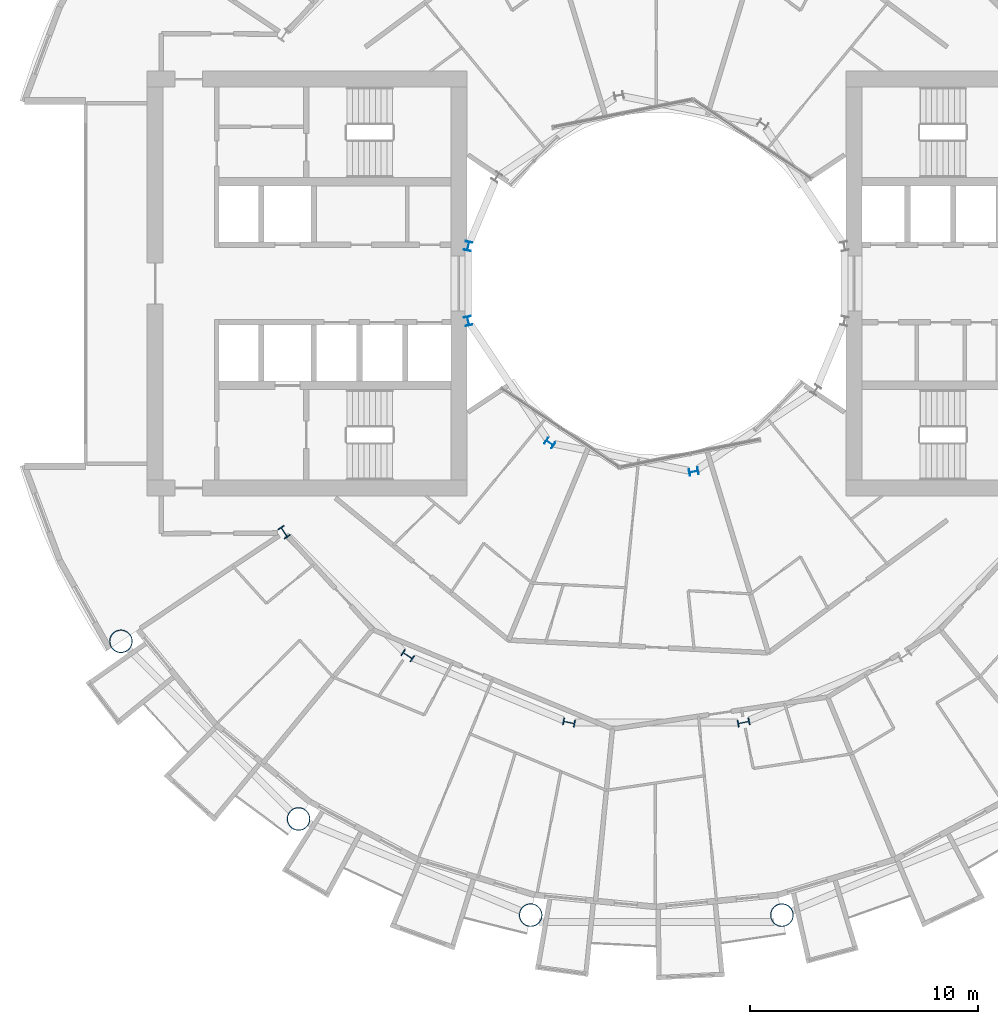
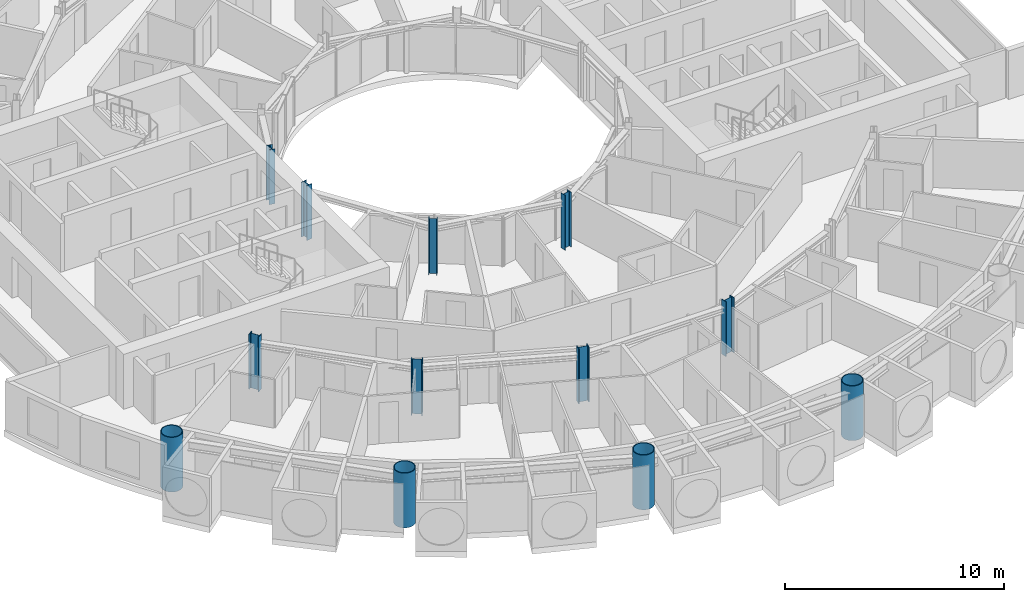
# One storey, part 1 of 26: 12 columns.
"""IFC4 building model written with IfcOpenShell, lengths in metres."""

from ifc_helpers import new_model, si_unit, direction, frame, origin, origin_2d, place, context, subcontext, project, spatial, hollow_circle, i_section, extrude, material, material_profile, profile_set, type_object, element, save


model = new_model("IFC4")

# Units and contexts
model_context = context("Model", 3, precision=1e-05, world=origin(), true_north=direction((0.0, 1.0)))
body_context = subcontext(model_context, "Body", "Model", "MODEL_VIEW")
ifc_project = project(units=[si_unit("LENGTHUNIT", "METRE"), si_unit("AREAUNIT", "SQUARE_METRE"), si_unit("VOLUMEUNIT", "CUBIC_METRE"), si_unit("PLANEANGLEUNIT", "RADIAN"), si_unit("MASSUNIT", "GRAM", prefix="KILO")], contexts=[model_context])

# Site, building, storey
site_placement = place(None, origin())
site = spatial("IfcSite", under=ifc_project, at=site_placement, CompositionType="ELEMENT")
building_placement = place(site_placement, origin())
building = spatial("IfcBuilding", under=site, at=building_placement, Name="Maasbend Ring Residences", CompositionType="ELEMENT")
storey_placement = place(building_placement, frame((0.0, 0.0, 75.800048828125)))
storey = spatial("IfcBuildingStorey", under=building, at=storey_placement, Name="L21", CompositionType="ELEMENT", Elevation=75.800048828125)

# Columns
ifc_material_1 = material(Name="Composite concrete-filled steel tube S460NH / C80/95", Category="concrete")
ifc_material_profile_1 = material_profile(ifc_material_1, hollow_circle(Radius=0.508056640625, WallThickness=0.0400390625, at=origin_2d()), Name="Composite tube column CHS 1016x40")
ifc_profile_set_1 = profile_set([ifc_material_profile_1], Name="Composite concrete-filled steel tube S460NH / C80/95")
column_type_1 = type_object("IfcColumnType", Name="Composite tube column CHS 1016x40", PredefinedType="COLUMN", material=ifc_profile_set_1)
for number, where, z_axis, x_axis, name in (
    (1, (-23.447509765625, -15.6669921875, 0.0), (0.0, 0.0, 1.0), (1.0, 0.0, 0.0), "Outer column R10"),
    (2, (-15.6669921875, -23.447509765625, 0.0), (0.0, 0.0, 1.0), (1.0, 0.0, 0.0), "Outer column R11"),
    (3, (-5.50146484375, -27.658203125, 0.0), (0.0, 0.0, 1.0), (1.0, 0.0, 0.0), "Outer column R12"),
    (4, (5.50146484375, -27.658203125, 0.0), (0.0, 0.0, 1.0), (1.0, 0.0, 0.0), "Outer column R13"),
):
    element("IfcColumn", number, at=place(storey_placement, frame(where, z_axis=z_axis, x_axis=x_axis)), inside=storey, type_object=column_type_1, Name=name, PredefinedType="COLUMN", context=body_context, shape_type="SweptSolid", body=[
        extrude(hollow_circle(Radius=0.508056640625, WallThickness=0.0400390625, at=origin_2d()), origin(), (0.0, 0.0, 1.0), 3.050048828125),
    ])
ifc_material_2 = material(Name="Steel S355J2", Category="steel")
ifc_material_profile_2 = material_profile(ifc_material_2, i_section(OverallWidth=0.300048828125, OverallDepth=0.39990234375, WebThickness=0.013427734375, FlangeThickness=0.02392578125, FilletRadius=0.027099609375, at=origin_2d()), Name="HEB 400")
ifc_profile_set_2 = profile_set([ifc_material_profile_2], Name="Steel S355J2")
column_type_2 = type_object("IfcColumnType", Name="Steel column HEB 400", PredefinedType="COLUMN", material=ifc_profile_set_2)
for number, where, z_axis, x_axis, name in (
    (5, (-8.238525390625, 1.638916015625, 0.0), (0.0, 0.0, 1.0), (-0.980785280403, 0.195090322016, 0.0), "Well ring column R8"),
    (6, (-8.238525390625, -1.638916015625, 0.0), (0.0, 0.0, 1.0), (-0.980785280403, -0.195090322016, 0.0), "Well ring column R9"),
    (7, (-4.666748046875, -6.984375, 0.0), (0.0, 0.0, 1.0), (-0.55557023302, -0.831469612303, 0.0), "Well ring column R11"),
    (8, (1.638916015625, -8.238525390625, 0.0), (0.0, 0.0, 1.0), (0.195090322016, -0.980785280403, 0.0), "Well ring column R13"),
):
    element("IfcColumn", number, at=place(storey_placement, frame(where, z_axis=z_axis, x_axis=x_axis)), inside=storey, type_object=column_type_2, Name=name, PredefinedType="COLUMN", context=body_context, shape_type="SweptSolid", body=[
        extrude(i_section(OverallWidth=0.300048828125, OverallDepth=0.39990234375, WebThickness=0.013427734375, FlangeThickness=0.02392578125, FilletRadius=0.027099609375, at=origin_2d()), origin(), (0.0, 0.0, 1.0), 3.050048828125),
    ])
ifc_material_3 = material(Name="Steel S460M", Category="steel")
ifc_material_profile_3 = material_profile(ifc_material_3, i_section(OverallWidth=0.305908203125, OverallDepth=0.52392578125, WebThickness=0.02099609375, FlangeThickness=0.0400390625, FilletRadius=0.027099609375, at=origin_2d()), Name="HEM 500")
ifc_profile_set_3 = profile_set([ifc_material_profile_3], Name="Steel S460M")
column_type_3 = type_object("IfcColumnType", Name="Steel column HEM 500", PredefinedType="COLUMN", material=ifc_profile_set_3)
for number, where, z_axis, x_axis, name in (
    (9, (-16.296875, -10.88916015625, 0.0), (0.0, 0.0, 1.0), (-0.831469612303, -0.55557023302, 0.0), "Corridor ring column R10"),
    (10, (-10.88916015625, -16.296875, 0.0), (0.0, 0.0, 1.0), (-0.55557023302, -0.831469612303, 0.0), "Corridor ring column R11"),
    (11, (-3.82373046875, -19.223388671875, 0.0), (0.0, 0.0, 1.0), (-0.195090322016, -0.980785280403, 0.0), "Corridor ring column R12"),
    (12, (3.82373046875, -19.223388671875, 0.0), (0.0, 0.0, 1.0), (0.195090322016, -0.980785280403, 0.0), "Corridor ring column R13"),
):
    element("IfcColumn", number, at=place(storey_placement, frame(where, z_axis=z_axis, x_axis=x_axis)), inside=storey, type_object=column_type_3, Name=name, PredefinedType="COLUMN", context=body_context, shape_type="SweptSolid", body=[
        extrude(i_section(OverallWidth=0.305908203125, OverallDepth=0.52392578125, WebThickness=0.02099609375, FlangeThickness=0.0400390625, FilletRadius=0.027099609375, at=origin_2d()), origin(), (0.0, 0.0, 1.0), 3.050048828125),
    ])

save(model, "model.ifc")
